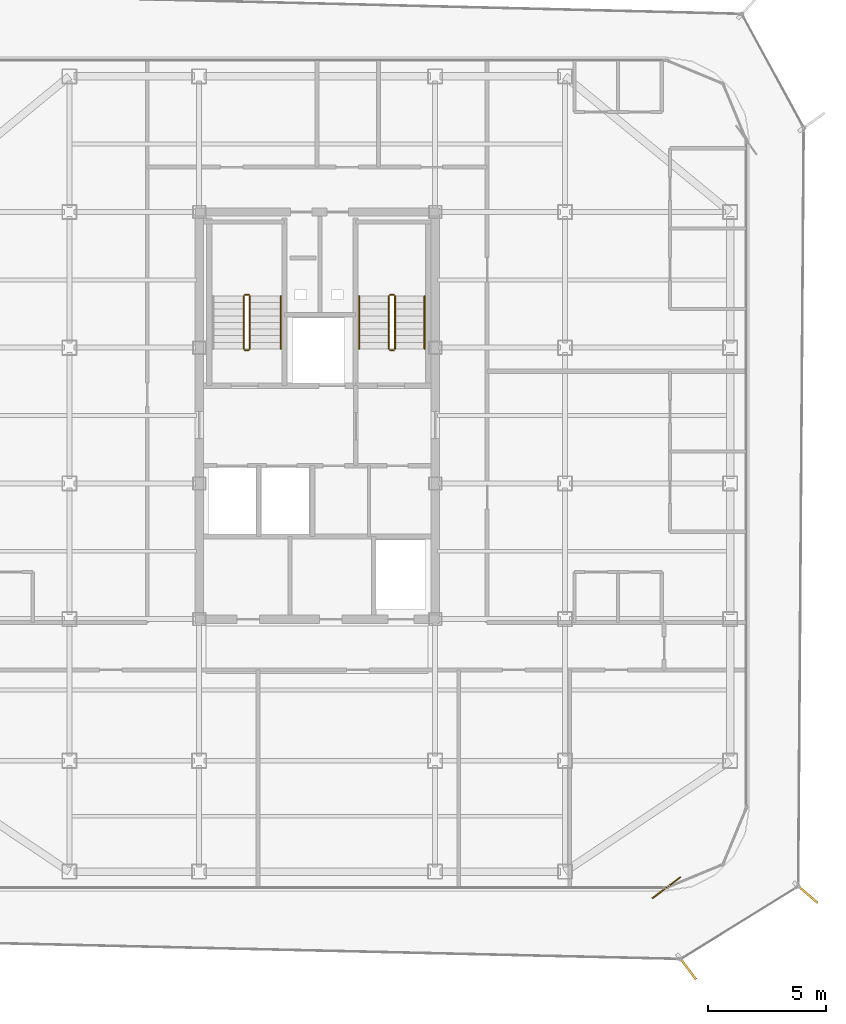
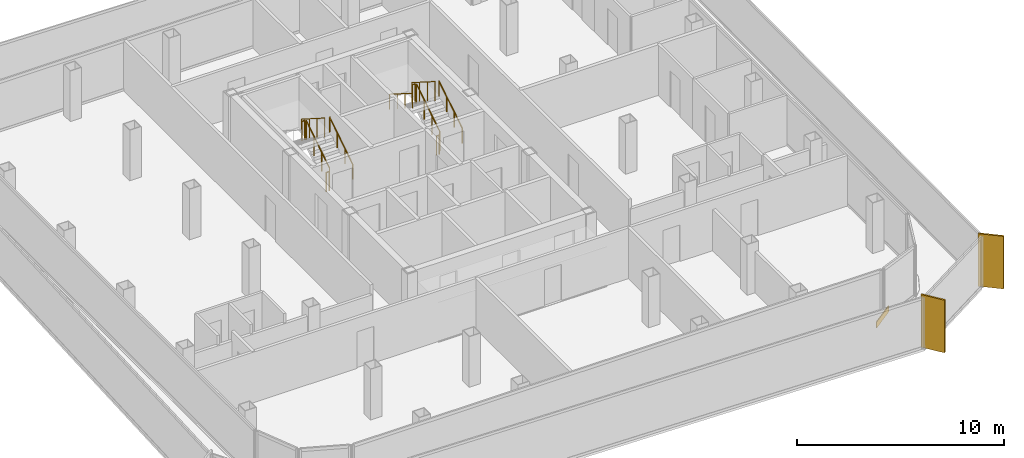
# One storey, part 14 of 15: 11 railings, 2 shading devices, 1 covering.
"""IFC4 building model written with IfcOpenShell, lengths in metres."""

import ifcopenshell
import ifcopenshell.guid

model = None  # the IFC model being written
_history = None  # IfcOwnerHistory: only IFC2X3 demands one
_inside = {}  # id of a spatial element -> (the spatial element, [elements in it])
_under = {}  # id of a project, library or spatial element -> (it, [spatial elements below it])
_declared = {}  # id of a project -> (the project, [libraries it declares])
_typed = {}  # id of a type object -> (the type object, [elements of that type])
_made_of = {}  # id of a material, layer set ... -> (it, [elements and type objects made of it])


def new_model(schema):
    """Start an empty IFC model of exactly this schema.

    Asked for "IFC4X3", IfcOpenShell would pick the latest addendum, in which some entities
    have other attributes; the version numbers below select the first issue.
    IFC2X3 requires an IfcOwnerHistory on every rooted entity: one is made here for all.
    """
    global model, _history
    if schema == "IFC4X3":
        model = ifcopenshell.file(schema_version=(4, 3, 0, 0))
    else:
        model = ifcopenshell.file(schema=schema)
    _inside.clear()
    _under.clear()
    _declared.clear()
    _typed.clear()
    _made_of.clear()
    _history = None
    if model.schema == "IFC2X3":
        org = make("IfcOrganization", Name="unknown")
        user = make(
            "IfcPersonAndOrganization",
            ThePerson=make("IfcPerson", FamilyName="unknown"),
            TheOrganization=org,
        )
        app = make(
            "IfcApplication",
            ApplicationDeveloper=org,
            Version="unknown",
            ApplicationFullName="unknown",
            ApplicationIdentifier="unknown",
        )
        _history = make(
            "IfcOwnerHistory",
            OwningUser=user,
            OwningApplication=app,
            ChangeAction="ADDED",
            CreationDate=0,
        )
    return model


def make(cls, **values):
    """One entity of the class cls with the attributes given. An attribute that is None is left unset."""
    return model.create_entity(
        cls, **{name: value for name, value in values.items() if value is not None}
    )


def rooted(cls, **values):
    """An entity with a GlobalId (a new one), such as an element, a storey or a relation."""
    return make(cls, GlobalId=ifcopenshell.guid.new(), OwnerHistory=_history, **values)


def si_unit(unit_type, name, prefix=None):
    """IfcSIUnit, for example si_unit("LENGTHUNIT", "METRE", prefix="MILLI")."""
    return make("IfcSIUnit", UnitType=unit_type, Prefix=prefix, Name=name)


def assignment(units):
    """IfcUnitAssignment: the units of a project."""
    return None if units is None else make("IfcUnitAssignment", Units=units)


def point(xyz):
    """IfcCartesianPoint."""
    return None if xyz is None else make("IfcCartesianPoint", Coordinates=xyz)


def direction(xyz):
    """IfcDirection."""
    return None if xyz is None else make("IfcDirection", DirectionRatios=xyz)


def frame(location, z_axis=None, x_axis=None):
    """IfcAxis2Placement3D, a coordinate frame: its origin and axes. An axis left out is left unset."""
    return make(
        "IfcAxis2Placement3D",
        Location=point(location),
        Axis=direction(z_axis),
        RefDirection=direction(x_axis),
    )


def frame_2d(location, x_axis=None):
    """IfcAxis2Placement2D, a coordinate frame in the plane: its origin and x axis."""
    return make(
        "IfcAxis2Placement2D", Location=point(location), RefDirection=direction(x_axis)
    )


def origin():
    """The frame at (0, 0, 0) with its axes left unset."""
    return frame((0.0, 0.0, 0.0))


def origin_2d():
    """The frame at (0, 0) in the plane with its x axis left unset."""
    return frame_2d((0.0, 0.0))


def place(relative_to, where):
    """IfcLocalPlacement: puts the frame where relative to a parent placement (None: the world)."""
    return make(
        "IfcLocalPlacement", PlacementRelTo=relative_to, RelativePlacement=where
    )


def context(
    kind, dimensions, precision=None, world=None, true_north=None, identifier=None
):
    """IfcGeometricRepresentationContext, for example the 3D "Model" context."""
    return make(
        "IfcGeometricRepresentationContext",
        ContextIdentifier=identifier,
        ContextType=kind,
        CoordinateSpaceDimension=dimensions,
        Precision=precision,
        WorldCoordinateSystem=world,
        TrueNorth=true_north,
    )


def subcontext(parent, identifier, kind, view, scale=None):
    """IfcGeometricRepresentationSubContext, for example "Body" below "Model"."""
    return make(
        "IfcGeometricRepresentationSubContext",
        ContextIdentifier=identifier,
        ContextType=kind,
        ParentContext=parent,
        TargetScale=scale,
        TargetView=view,
    )


def project(units=None, contexts=None):
    """IfcProject with its units and contexts."""
    return rooted(
        "IfcProject",
        Name="project",
        RepresentationContexts=contexts,
        UnitsInContext=assignment(units),
    )


def spatial(cls, under=None, at=None, **own):
    """A site, building, storey or space (cls), placed at a placement, below another one or the project."""
    s = rooted(cls, ObjectPlacement=at, **own)
    if under is not None:
        _under.setdefault(under.id(), (under, []))[1].append(s)
    return s


def profile(cls, at=None, kind="AREA", **sizes):
    """A parametric profile (cls). Its sizes go by their IFC names, for example OverallWidth=200.0."""
    return make(cls, ProfileType=kind, Position=at, **sizes)


def rectangle(**sizes):
    """IfcRectangleProfileDef."""
    return profile("IfcRectangleProfileDef", **sizes)


def circle(**sizes):
    """IfcCircleProfileDef."""
    return profile("IfcCircleProfileDef", **sizes)


def extrude(swept, where, along, depth):
    """IfcExtrudedAreaSolid: the profile swept, set in the frame where, extruded along a direction by depth."""
    return make(
        "IfcExtrudedAreaSolid",
        SweptArea=swept,
        Position=where,
        ExtrudedDirection=direction(along),
        Depth=depth,
    )


def shape(context_of_items, identifier, shape_type, items):
    """IfcShapeRepresentation: the items that make up one representation, for example the "Body"."""
    return make(
        "IfcShapeRepresentation",
        ContextOfItems=context_of_items,
        RepresentationIdentifier=identifier,
        RepresentationType=shape_type,
        Items=items,
    )


def source(mapping_origin, context_of_items, identifier, shape_type, items):
    """IfcRepresentationMap: a shape defined once, which mapped items show again and again."""
    return make(
        "IfcRepresentationMap",
        MappingOrigin=mapping_origin,
        MappedRepresentation=shape(context_of_items, identifier, shape_type, items),
    )


def transform(
    local_origin,
    x_axis=None,
    y_axis=None,
    z_axis=None,
    scale=None,
    scale2=None,
    scale3=None,
    uniform=True,
):
    """IfcCartesianTransformationOperator3D, or its non-uniform kind. x_axis, y_axis, z_axis: its Axis1, 2, 3."""
    if uniform:
        return make(
            "IfcCartesianTransformationOperator3D",
            Axis1=direction(x_axis),
            Axis2=direction(y_axis),
            LocalOrigin=point(local_origin),
            Scale=scale,
            Axis3=direction(z_axis),
        )
    return make(
        "IfcCartesianTransformationOperator3DnonUniform",
        Axis1=direction(x_axis),
        Axis2=direction(y_axis),
        LocalOrigin=point(local_origin),
        Scale=scale,
        Axis3=direction(z_axis),
        Scale2=scale2,
        Scale3=scale3,
    )


def mapped(mapping_source, mapping_target):
    """IfcMappedItem: shows the shape of a source again, moved by a transform."""
    return make(
        "IfcMappedItem", MappingSource=mapping_source, MappingTarget=mapping_target
    )


def material(Name=None, Category=None):
    """IfcMaterial."""
    return make("IfcMaterial", Name=Name, Category=Category)


def layer(
    of_material, thickness, ventilated=None, Name=None, Category=None, Priority=None
):
    """IfcMaterialLayer: one layer of a wall or slab, of a material (None: an air gap)."""
    return make(
        "IfcMaterialLayer",
        Material=of_material,
        LayerThickness=thickness,
        IsVentilated=ventilated,
        Name=Name,
        Category=Category,
        Priority=Priority,
    )


def layer_set(layers, Name=None):
    """IfcMaterialLayerSet."""
    return make("IfcMaterialLayerSet", MaterialLayers=layers, LayerSetName=Name)


def made_of(thing, what):
    """Note that an element or type object is made of a material, layer set ...; save() writes the relation."""
    if what is not None:
        _made_of.setdefault(what.id(), (what, []))[1].append(thing)
    return thing


def type_object(cls, material=None, **own):
    """A type object (cls), such as IfcWallType, which elements share."""
    return made_of(rooted(cls, **own), material)


def element(
    cls,
    number,
    at=None,
    inside=None,
    cuts=None,
    type_object=None,
    material=None,
    context=None,
    identifier="Body",
    shape_type=None,
    held_by="IfcProductDefinitionShape",
    body=None,
    shapes=None,
    **own,
):
    """One element of the class cls, such as IfcWall. Its Tag is "e" and its number.

    at: its placement. inside: the storey or other place that contains it. cuts: it is an
    opening in that element (IfcRelVoidsElement). A single representation is given by context,
    identifier, shape_type and body (its items); several are given by shapes. held_by: the class
    of the entity that holds the representations. save() writes the other relations.
    """
    e = rooted(cls, Tag="e%d" % number, ObjectPlacement=at, **own)
    if body is not None:
        shapes = [shape(context, identifier, shape_type, body)]
    if shapes is not None:
        e.Representation = make(held_by, Representations=shapes)
    if inside is not None:
        _inside.setdefault(inside.id(), (inside, []))[1].append(e)
    if cuts is not None:
        rooted(
            "IfcRelVoidsElement", RelatingBuildingElement=cuts, RelatedOpeningElement=e
        )
    if type_object is not None:
        _typed.setdefault(type_object.id(), (type_object, []))[1].append(e)
    return made_of(e, material)


def aggregate(whole, parts):
    """IfcRelAggregates: a whole, such as a stair, and the parts it consists of."""
    return rooted("IfcRelAggregates", RelatingObject=whole, RelatedObjects=parts)


def save(model, path):
    """Write the relations noted so far, then the file.

    IfcRelAggregates (storeys below a building ...), IfcRelContainedInSpatialStructure (elements
    in a storey), IfcRelDefinesByType, IfcRelAssociatesMaterial and IfcRelDeclares: one each for
    every whole, place, type object, material and project.
    """
    for whole, parts in _under.values():
        aggregate(whole, parts)
    for where, things in _inside.values():
        rooted(
            "IfcRelContainedInSpatialStructure",
            RelatedElements=things,
            RelatingStructure=where,
        )
    for kind, things in _typed.values():
        rooted("IfcRelDefinesByType", RelatedObjects=things, RelatingType=kind)
    for what, things in _made_of.values():
        rooted("IfcRelAssociatesMaterial", RelatedObjects=things, RelatingMaterial=what)
    for by, libraries in _declared.values():
        rooted("IfcRelDeclares", RelatingContext=by, RelatedDefinitions=libraries)
    model.write(path)


model = new_model("IFC4")

# Units and contexts
model_context = context("Model", 3, precision=1e-05, world=origin(), true_north=direction((0.0, 1.0)))
body_context = subcontext(model_context, "Body", "Model", "MODEL_VIEW")
ifc_project = project(units=[si_unit("LENGTHUNIT", "METRE"), si_unit("AREAUNIT", "SQUARE_METRE"), si_unit("VOLUMEUNIT", "CUBIC_METRE"), si_unit("PLANEANGLEUNIT", "RADIAN"), si_unit("MASSUNIT", "GRAM", prefix="KILO")], contexts=[model_context])

# Site, building, storey
site_placement = place(None, origin())
site = spatial("IfcSite", under=ifc_project, at=site_placement, CompositionType="ELEMENT")
building_placement = place(site_placement, origin())
building = spatial("IfcBuilding", under=site, at=building_placement, Name="Kolveth Station Tower", CompositionType="ELEMENT")
storey_placement = place(building_placement, frame((0.0, 0.0, 264.89990234375)))
storey = spatial("IfcBuildingStorey", under=building, at=storey_placement, Name="L76", CompositionType="ELEMENT", Elevation=264.89990234375)

# Railings
ifc_material_1 = material(Name="Painted Steel S355 balustrade", Category="steel")
railing_type_1 = type_object("IfcRailingType", Name="Guard_GR2", PredefinedType="BALUSTRADE", material=ifc_material_1)
railing_1_placement = place(storey_placement, frame((20.64990234375, 22.949951171875, 0.177978515625)))
element("IfcRailing", 1, at=railing_1_placement, inside=storey, type_object=railing_type_1, Name="L76 ST1 stair guard 1", PredefinedType="BALUSTRADE", context=body_context, shape_type="SweptSolid", body=[
    extrude(circle(Radius=0.02392578125, at=origin_2d()), frame((0.0, 0.0, 1.1259765625), z_axis=(0.0, 0.8442293374, 0.53598211339), x_axis=(-1.0, 0.0, 0.0)), (0.0, 0.0, 1.0), 2.6533203125),
    extrude(circle(Radius=0.02099609375, at=origin_2d()), origin(), (0.0, 0.0, 1.0), 1.101806640625),
    extrude(circle(Radius=0.02099609375, at=origin_2d()), frame((0.0, 0.74658203125, 0.47412109375)), (0.0, 0.0, 1.0), 1.101806640625),
    extrude(circle(Radius=0.02099609375, at=origin_2d()), frame((0.0, 1.493408203125, 0.947998046875)), (0.0, 0.0, 1.0), 1.101806640625),
    extrude(circle(Radius=0.02099609375, at=origin_2d()), frame((0.0, 2.239990234375, 1.422119140625)), (0.0, 0.0, 1.0), 1.101806640625),
])
railing_2_placement = place(storey_placement, frame((20.60009765625, 25.239990234375, 1.60009765625)))
element("IfcRailing", 2, at=railing_2_placement, inside=storey, type_object=railing_type_1, Name="L76 ST1 stair guard 2", PredefinedType="BALUSTRADE", context=body_context, shape_type="SweptSolid", body=[
    extrude(circle(Radius=0.02392578125, at=origin_2d()), frame((0.0, 0.0, 1.1259765625), z_axis=(-1.0, 0.0, 0.0), x_axis=(0.0, -1.0, 0.0)), (0.0, 0.0, 1.0), 0.16015625),
    extrude(circle(Radius=0.02099609375, at=origin_2d()), origin(), (0.0, 0.0, 1.0), 1.101806640625),
    extrude(circle(Radius=0.02099609375, at=origin_2d()), frame((-0.16015625, 0.0, 0.0)), (0.0, 0.0, 1.0), 1.101806640625),
])
railing_3_placement = place(storey_placement, frame((20.389892578125, 25.18994140625, 1.77783203125)))
element("IfcRailing", 3, at=railing_3_placement, inside=storey, type_object=railing_type_1, Name="L76 ST1 stair guard 3", PredefinedType="BALUSTRADE", context=body_context, shape_type="SweptSolid", body=[
    extrude(circle(Radius=0.02392578125, at=origin_2d()), frame((0.0, 0.0, 1.1259765625), z_axis=(0.0, -0.84418770128, 0.536047689118), x_axis=(1.0, 0.0, 0.0)), (0.0, 0.0, 1.0), 2.6533203125),
    extrude(circle(Radius=0.02099609375, at=origin_2d()), origin(), (0.0, 0.0, 1.0), 1.101806640625),
    extrude(circle(Radius=0.02099609375, at=origin_2d()), frame((0.0, -0.74658203125, 0.47412109375)), (0.0, 0.0, 1.0), 1.101806640625),
    extrude(circle(Radius=0.02099609375, at=origin_2d()), frame((0.0, -1.493408203125, 0.9482421875)), (0.0, 0.0, 1.0), 1.101806640625),
    extrude(circle(Radius=0.02099609375, at=origin_2d()), frame((0.0, -2.239990234375, 1.42236328125)), (0.0, 0.0, 1.0), 1.101806640625),
])
railing_4_placement = place(storey_placement, frame((20.60009765625, 22.89990234375, 0.0)))
element("IfcRailing", 4, at=railing_4_placement, inside=storey, type_object=railing_type_1, Name="L76 ST1 stair guard 4", PredefinedType="BALUSTRADE", context=body_context, shape_type="SweptSolid", body=[
    extrude(circle(Radius=0.02392578125, at=origin_2d()), frame((0.0, 0.0, 1.1259765625), z_axis=(-1.0, 0.0, 0.0), x_axis=(0.0, -1.0, 0.0)), (0.0, 0.0, 1.0), 0.16015625),
    extrude(circle(Radius=0.02099609375, at=origin_2d()), origin(), (0.0, 0.0, 1.0), 1.101806640625),
    extrude(circle(Radius=0.02099609375, at=origin_2d()), frame((-0.16015625, 0.0, 0.0)), (0.0, 0.0, 1.0), 1.101806640625),
])
railing_5_placement = place(storey_placement, frame((26.800048828125, 22.949951171875, 0.177978515625)))
element("IfcRailing", 5, at=railing_5_placement, inside=storey, type_object=railing_type_1, Name="L76 ST2 stair guard 1", PredefinedType="BALUSTRADE", context=body_context, shape_type="SweptSolid", body=[
    extrude(circle(Radius=0.02392578125, at=origin_2d()), frame((0.0, 0.0, 1.1259765625), z_axis=(0.0, 0.8442293374, 0.53598211339), x_axis=(-1.0, 0.0, 0.0)), (0.0, 0.0, 1.0), 2.6533203125),
    extrude(circle(Radius=0.02099609375, at=origin_2d()), origin(), (0.0, 0.0, 1.0), 1.101806640625),
    extrude(circle(Radius=0.02099609375, at=origin_2d()), frame((0.0, 0.74658203125, 0.47412109375)), (0.0, 0.0, 1.0), 1.101806640625),
    extrude(circle(Radius=0.02099609375, at=origin_2d()), frame((0.0, 1.493408203125, 0.947998046875)), (0.0, 0.0, 1.0), 1.101806640625),
    extrude(circle(Radius=0.02099609375, at=origin_2d()), frame((0.0, 2.239990234375, 1.422119140625)), (0.0, 0.0, 1.0), 1.101806640625),
])
railing_6_placement = place(storey_placement, frame((26.75, 25.239990234375, 1.60009765625)))
element("IfcRailing", 6, at=railing_6_placement, inside=storey, type_object=railing_type_1, Name="L76 ST2 stair guard 2", PredefinedType="BALUSTRADE", context=body_context, shape_type="SweptSolid", body=[
    extrude(circle(Radius=0.02392578125, at=origin_2d()), frame((0.0, 0.0, 1.1259765625), z_axis=(-1.0, 0.0, 0.0), x_axis=(0.0, -1.0, 0.0)), (0.0, 0.0, 1.0), 0.159912109375),
    extrude(circle(Radius=0.02099609375, at=origin_2d()), origin(), (0.0, 0.0, 1.0), 1.101806640625),
    extrude(circle(Radius=0.02099609375, at=origin_2d()), frame((-0.159912109375, 0.0, 0.0)), (0.0, 0.0, 1.0), 1.101806640625),
])
railing_7_placement = place(storey_placement, frame((26.5400390625, 25.18994140625, 1.77783203125)))
element("IfcRailing", 7, at=railing_7_placement, inside=storey, type_object=railing_type_1, Name="L76 ST2 stair guard 3", PredefinedType="BALUSTRADE", context=body_context, shape_type="SweptSolid", body=[
    extrude(circle(Radius=0.02392578125, at=origin_2d()), frame((0.0, 0.0, 1.1259765625), z_axis=(0.0, -0.84418770128, 0.536047689118), x_axis=(1.0, 0.0, 0.0)), (0.0, 0.0, 1.0), 2.6533203125),
    extrude(circle(Radius=0.02099609375, at=origin_2d()), origin(), (0.0, 0.0, 1.0), 1.101806640625),
    extrude(circle(Radius=0.02099609375, at=origin_2d()), frame((0.0, -0.74658203125, 0.47412109375)), (0.0, 0.0, 1.0), 1.101806640625),
    extrude(circle(Radius=0.02099609375, at=origin_2d()), frame((0.0, -1.493408203125, 0.9482421875)), (0.0, 0.0, 1.0), 1.101806640625),
    extrude(circle(Radius=0.02099609375, at=origin_2d()), frame((0.0, -2.239990234375, 1.42236328125)), (0.0, 0.0, 1.0), 1.101806640625),
])
railing_8_placement = place(storey_placement, frame((26.75, 22.89990234375, 0.0)))
element("IfcRailing", 8, at=railing_8_placement, inside=storey, type_object=railing_type_1, Name="L76 ST2 stair guard 4", PredefinedType="BALUSTRADE", context=body_context, shape_type="SweptSolid", body=[
    extrude(circle(Radius=0.02392578125, at=origin_2d()), frame((0.0, 0.0, 1.1259765625), z_axis=(-1.0, 0.0, 0.0), x_axis=(0.0, -1.0, 0.0)), (0.0, 0.0, 1.0), 0.159912109375),
    extrude(circle(Radius=0.02099609375, at=origin_2d()), origin(), (0.0, 0.0, 1.0), 1.101806640625),
    extrude(circle(Radius=0.02099609375, at=origin_2d()), frame((-0.159912109375, 0.0, 0.0)), (0.0, 0.0, 1.0), 1.101806640625),
])
ifc_material_2 = material(Name="Brushed stainless steel", Category="steel")
railing_type_2 = type_object("IfcRailingType", Name="Handrail_HR1", PredefinedType="HANDRAIL", material=ifc_material_2)
for number, where, name in (
    (9, (21.949951171875, 22.949951171875, 0.177978515625), "L76 ST1 stair handrail 1"),
    (10, (28.050048828125, 22.949951171875, 0.177978515625), "L76 ST2 stair handrail 1"),
):
    element("IfcRailing", number, at=place(storey_placement, frame(where)), inside=storey, type_object=railing_type_2, Name=name, PredefinedType="HANDRAIL", context=body_context, shape_type="SweptSolid", body=[
        extrude(circle(Radius=0.02392578125, at=origin_2d()), frame((0.0, 0.0, 0.8759765625), z_axis=(0.0, 0.8442293374, 0.53598211339), x_axis=(-1.0, 0.0, 0.0)), (0.0, 0.0, 1.0), 2.6533203125),
        extrude(circle(Radius=0.02099609375, at=origin_2d()), origin(), (0.0, 0.0, 1.0), 0.851806640625),
        extrude(circle(Radius=0.02099609375, at=origin_2d()), frame((0.0, 0.74658203125, 0.47412109375)), (0.0, 0.0, 1.0), 0.851806640625),
        extrude(circle(Radius=0.02099609375, at=origin_2d()), frame((0.0, 1.493408203125, 0.947998046875)), (0.0, 0.0, 1.0), 0.851806640625),
        extrude(circle(Radius=0.02099609375, at=origin_2d()), frame((0.0, 2.239990234375, 1.422119140625)), (0.0, 0.0, 1.0), 0.851806640625),
    ])
railing_9_placement = place(storey_placement, frame((25.2900390625, 25.18994140625, 1.77783203125)))
element("IfcRailing", 11, at=railing_9_placement, inside=storey, type_object=railing_type_2, Name="L76 ST2 stair handrail 2", PredefinedType="HANDRAIL", context=body_context, shape_type="SweptSolid", body=[
    extrude(circle(Radius=0.02392578125, at=origin_2d()), frame((0.0, 0.0, 0.8759765625), z_axis=(0.0, -0.84418770128, 0.536047689118), x_axis=(1.0, 0.0, 0.0)), (0.0, 0.0, 1.0), 2.6533203125),
    extrude(circle(Radius=0.02099609375, at=origin_2d()), origin(), (0.0, 0.0, 1.0), 0.851806640625),
    extrude(circle(Radius=0.02099609375, at=origin_2d()), frame((0.0, -0.74658203125, 0.47412109375)), (0.0, 0.0, 1.0), 0.851806640625),
    extrude(circle(Radius=0.02099609375, at=origin_2d()), frame((0.0, -1.493408203125, 0.9482421875)), (0.0, 0.0, 1.0), 0.851806640625),
    extrude(circle(Radius=0.02099609375, at=origin_2d()), frame((0.0, -2.239990234375, 1.42236328125)), (0.0, 0.0, 1.0), 0.851806640625),
])

# Shading devices
ifc_material_3 = material(Name="Black anodized aluminium 6063-T6", Category="aluminium")
shading_device_type = type_object("IfcShadingDeviceType", Name="FIN_VF1", PredefinedType="USERDEFINED", material=ifc_material_3)
shared_shape_1 = source(origin(), body_context, "Body", "SweptSolid", [
    extrude(rectangle(XDim=1.25, YDim=0.090087890625, at=origin_2d()), origin(), (0.0, 0.0, 1.0), 3.10009765625),
])
for number, where, z_axis, x_axis, name in (
    (12, (39.174072265625, -3.262939453125, 0.0), (0.0, 0.0, 1.0), (0.599722140278, -0.800208319415, 0.0), "L76 Dark-Aluminium Solar Fin 1"),
    (13, (44.22900390625, -0.114013671875, 0.0), (0.0, 0.0, 1.0), (0.759271307335, -0.650774217266, 0.0), "L76 Dark-Aluminium Solar Fin 2"),
):
    element("IfcShadingDevice", number, at=place(storey_placement, frame(where, z_axis=z_axis, x_axis=x_axis)), inside=storey, type_object=shading_device_type, Name=name, ObjectType="FIN", PredefinedType="USERDEFINED", context=body_context, shape_type="MappedRepresentation", body=[
        mapped(shared_shape_1, transform((0.0, 0.0, 0.0), x_axis=(1.0, 0.0, 0.0), y_axis=(0.0, 1.0, 0.0), z_axis=(0.0, 0.0, 1.0), scale=1.0)),
    ])

# Covering
ifc_material_4 = material(Name="Charcoal anodized aluminium spandrel cladding", Category="aluminium")
ifc_layer = layer(ifc_material_4, 0.044921875)
ifc_layer_set = layer_set([ifc_layer], Name="Charcoal anodized aluminium spandrel cladding")
covering_type = type_object("IfcCoveringType", Name="Clad_CD1", PredefinedType="CLADDING", material=ifc_layer_set)
shared_shape_2 = source(origin(), body_context, "Body", "SweptSolid", [
    extrude(rectangle(XDim=1.5, YDim=0.044921875, at=origin_2d()), origin(), (0.0, 0.0, 1.0), 0.360107421875),
])
covering_placement = place(storey_placement, frame((38.300048828125, 0.1201171875, 0.0), z_axis=(0.0, 0.0, 1.0), x_axis=(0.800208319415, 0.599722140278, 0.0)))
element("IfcCovering", 14, at=covering_placement, inside=storey, type_object=covering_type, Name="L76 Spandrel Edge Cladding 1", PredefinedType="CLADDING", context=body_context, shape_type="MappedRepresentation", body=[
    mapped(shared_shape_2, transform((0.0, 0.0, 0.0), x_axis=(1.0, 0.0, 0.0), y_axis=(0.0, 1.0, 0.0), z_axis=(0.0, 0.0, 1.0), scale=1.0)),
])

save(model, "model.ifc")
